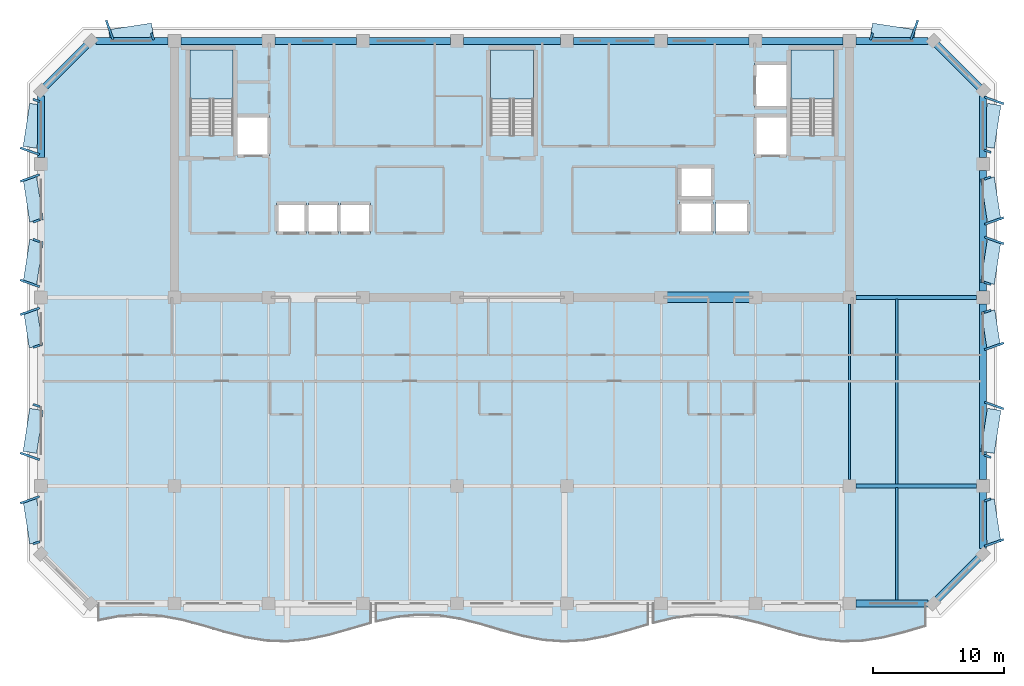
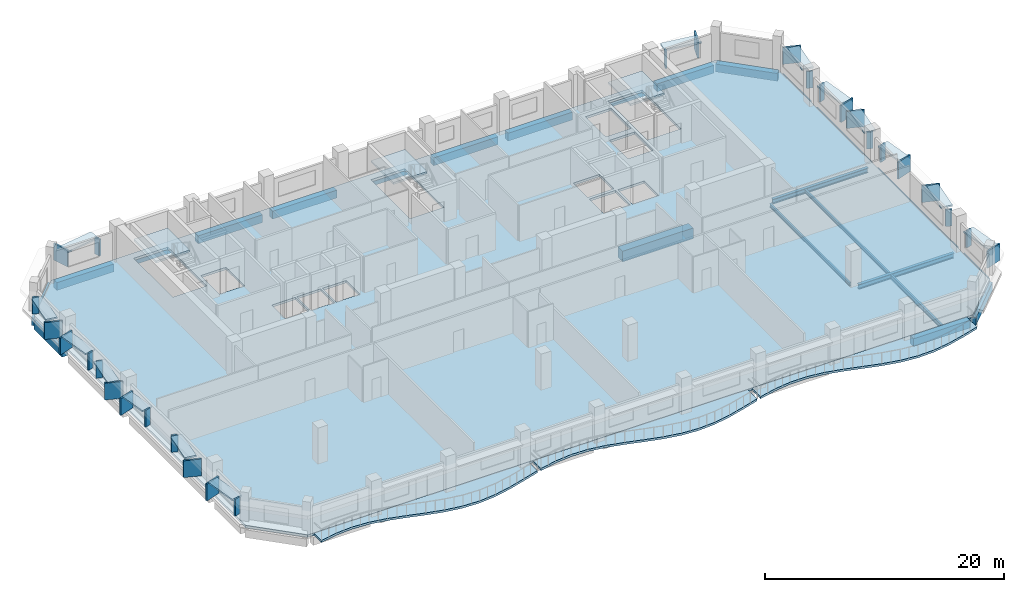
# One storey, part 2 of 11: 42 plates, 24 beams, 7 slabs, 3 elements without a shape of their own.
"""IFC4 building model written with IfcOpenShell, lengths in metres."""

from ifc_helpers import new_model, si_unit, direction, frame, origin, origin_2d, place, context, subcontext, project, spatial, polyline, rectangle, i_section, outline, extrude, material, layer, layer_set, material_profile, profile_set, type_object, element, aggregate, save


model = new_model("IFC4")

# Units and contexts
model_context = context("Model", 3, precision=1e-05, world=origin(), true_north=direction((0.0, 1.0)))
body_context = subcontext(model_context, "Body", "Model", "MODEL_VIEW")
ifc_project = project(units=[si_unit("LENGTHUNIT", "METRE"), si_unit("AREAUNIT", "SQUARE_METRE"), si_unit("VOLUMEUNIT", "CUBIC_METRE"), si_unit("PLANEANGLEUNIT", "RADIAN"), si_unit("MASSUNIT", "GRAM", prefix="KILO")], contexts=[model_context])

# Site, building, storey
site_placement = place(None, origin())
site = spatial("IfcSite", under=ifc_project, at=site_placement, CompositionType="ELEMENT")
building_placement = place(site_placement, origin())
building = spatial("IfcBuilding", under=site, at=building_placement, Name="Kaelvorn Grand Hotel", CompositionType="ELEMENT")
storey_placement = place(building_placement, frame((0.0, 0.0, 272.60009765625)))
storey = spatial("IfcBuildingStorey", under=building, at=storey_placement, Name="L67", CompositionType="ELEMENT", Elevation=272.60009765625)

# Beams
ifc_material_1 = material(Name="Steel S355", Category="steel")
ifc_material_profile_1 = material_profile(ifc_material_1, i_section(OverallWidth=0.300048828125, OverallDepth=0.5, WebThickness=0.014404296875, FlangeThickness=0.028076171875, FilletRadius=0.027099609375, at=origin_2d()), Name="HEB 500")
ifc_profile_set_1 = profile_set([ifc_material_profile_1], Name="Steel S355")
beam_type_1 = type_object("IfcBeamType", Name="BM-G-HEB500-S355", PredefinedType="BEAM", material=ifc_profile_set_1)
for number, where, z_axis, x_axis, name in (
    (1, (68.284912109375, 15.0, -0.489990234375), (1.0, 0.0, 0.0), (0.0, 1.0, 0.0), "L67 Primary Spine Steel Girder G-15 05"),
    (2, (68.284912109375, 29.39990234375, -0.489990234375), (1.0, 0.0, 0.0), (0.0, 1.0, 0.0), "L67 East Core Wing Steel Girder G-29E 01"),
):
    element("IfcBeam", number, at=place(storey_placement, frame(where, z_axis=z_axis, x_axis=x_axis)), inside=storey, type_object=beam_type_1, Name=name, PredefinedType="BEAM", context=body_context, shape_type="SweptSolid", body=[
        extrude(i_section(OverallWidth=0.300048828125, OverallDepth=0.5, WebThickness=0.014404296875, FlangeThickness=0.028076171875, FilletRadius=0.027099609375, at=origin_2d()), origin(), (0.0, 0.0, 1.0), 9.22998046875),
    ])
ifc_material_profile_2 = material_profile(ifc_material_1, i_section(OverallWidth=0.169921875, OverallDepth=0.360107421875, WebThickness=0.008056640625, FlangeThickness=0.0126953125, FilletRadius=0.01806640625, at=origin_2d()), Name="IPE 360")
ifc_profile_set_2 = profile_set([ifc_material_profile_2], Name="Steel S355")
beam_type_2 = type_object("IfcBeamType", Name="BM-J-IPE360-S355", PredefinedType="JOIST", material=ifc_profile_set_2)
beam_1_placement = place(storey_placement, frame((67.800048828125, 15.485107421875, -0.420166015625), z_axis=(0.0, 1.0, 0.0), x_axis=(-1.0, 0.0, 0.0)))
element("IfcBeam", 3, at=beam_1_placement, inside=storey, type_object=beam_type_2, Name="L67 Composite Floor Joist JM-19", PredefinedType="JOIST", context=body_context, shape_type="SweptSolid", body=[
    extrude(i_section(OverallWidth=0.169921875, OverallDepth=0.360107421875, WebThickness=0.008056640625, FlangeThickness=0.0126953125, FilletRadius=0.01806640625, at=origin_2d()), origin(), (0.0, 0.0, 1.0), 13.429931640625),
])
beam_2_placement = place(storey_placement, frame((71.39990234375, 15.135009765625, -0.420166015625), z_axis=(0.0, 1.0, 0.0), x_axis=(-1.0, 0.0, 0.0)))
element("IfcBeam", 4, at=beam_2_placement, inside=storey, type_object=beam_type_2, Name="L67 Composite Floor Joist JM-20", PredefinedType="JOIST", context=body_context, shape_type="SweptSolid", body=[
    extrude(i_section(OverallWidth=0.169921875, OverallDepth=0.360107421875, WebThickness=0.008056640625, FlangeThickness=0.0126953125, FilletRadius=0.01806640625, at=origin_2d()), origin(), (0.0, 0.0, 1.0), 14.1298828125),
])
ifc_material_profile_3 = material_profile(ifc_material_1, i_section(OverallWidth=0.18994140625, OverallDepth=0.449951171875, WebThickness=0.009521484375, FlangeThickness=0.0146484375, FilletRadius=0.02099609375, at=origin_2d()), Name="IPE 450")
ifc_profile_set_3 = profile_set([ifc_material_profile_3], Name="Steel S355")
beam_type_3 = type_object("IfcBeamType", Name="BM-J-IPE450-S355", PredefinedType="JOIST", material=ifc_profile_set_3)
beam_3_placement = place(storey_placement, frame((71.39990234375, 6.260009765625, -0.465087890625), z_axis=(0.0, 1.0, 0.0), x_axis=(-1.0, 0.0, 0.0)))
element("IfcBeam", 5, at=beam_3_placement, inside=storey, type_object=beam_type_3, Name="L67 Composite Floor Joist JS-20", PredefinedType="JOIST", context=body_context, shape_type="SweptSolid", body=[
    extrude(i_section(OverallWidth=0.18994140625, OverallDepth=0.449951171875, WebThickness=0.009521484375, FlangeThickness=0.0146484375, FilletRadius=0.02099609375, at=origin_2d()), origin(), (0.0, 0.0, 1.0), 8.60498046875),
])
ifc_material_2 = material(Name="Concrete C60/75", Category="concrete")
ifc_material_profile_4 = material_profile(ifc_material_2, rectangle(XDim=0.800048828125, YDim=1.10009765625, at=origin_2d()), Name="RC LINTEL 800x1100")
ifc_profile_set_4 = profile_set([ifc_material_profile_4], Name="Concrete C60/75")
beam_type_4 = type_object("IfcBeamType", Name="BM-LIN-800x1100-C60", PredefinedType="LINTEL", material=ifc_profile_set_4)
beam_4_placement = place(storey_placement, frame((53.580078125, 29.39990234375, -0.7900390625), z_axis=(1.0, 0.0, 0.0), x_axis=(0.0, 1.0, 0.0)))
element("IfcBeam", 6, at=beam_4_placement, inside=storey, type_object=beam_type_4, Name="L67 Rear-Core Coupling Lintel Beam CB1-03", PredefinedType="LINTEL", context=body_context, shape_type="SweptSolid", body=[
    extrude(rectangle(XDim=0.800048828125, YDim=1.10009765625, at=origin_2d()), origin(), (0.0, 0.0, 1.0), 6.83984375),
])
ifc_material_3 = material(Name="Concrete C50/60", Category="concrete")
ifc_material_profile_5 = material_profile(ifc_material_3, rectangle(XDim=0.550048828125, YDim=0.800048828125, at=origin_2d()), Name="RC SPANDREL 550x800")
ifc_profile_set_5 = profile_set([ifc_material_profile_5], Name="Concrete C50/60")
beam_type_5 = type_object("IfcBeamType", Name="BM-SP-550x800-C50", PredefinedType="SPANDREL", material=ifc_profile_set_5)
for number, where, z_axis, x_axis, name in (
    (7, (68.284912109375, 6.0, -0.64013671875), (1.0, 0.0, 0.0), (0.0, 1.0, 0.0), "L67 South Perimeter Spandrel 09"),
    (8, (10.205078125, 49.0, -0.64013671875), (1.0, 0.0, 0.0), (0.0, 1.0, 0.0), "L67 North Perimeter Spandrel 01"),
):
    element("IfcBeam", number, at=place(storey_placement, frame(where, z_axis=z_axis, x_axis=x_axis)), inside=storey, type_object=beam_type_5, Name=name, PredefinedType="SPANDREL", context=body_context, shape_type="SweptSolid", body=[
        extrude(rectangle(XDim=0.550048828125, YDim=0.800048828125, at=origin_2d()), origin(), (0.0, 0.0, 1.0), 5.510009765625),
    ])
for number, where, z_axis, x_axis, name in (
    (9, (16.68505859375, 49.0, -0.64013671875), (1.0, 0.0, 0.0), (0.0, 1.0, 0.0), "L67 North Perimeter Spandrel 02"),
    (10, (23.885009765625, 49.0, -0.64013671875), (1.0, 0.0, 0.0), (0.0, 1.0, 0.0), "L67 North Perimeter Spandrel 03"),
    (11, (31.0849609375, 49.0, -0.64013671875), (1.0, 0.0, 0.0), (0.0, 1.0, 0.0), "L67 North Perimeter Spandrel 04"),
):
    element("IfcBeam", number, at=place(storey_placement, frame(where, z_axis=z_axis, x_axis=x_axis)), inside=storey, type_object=beam_type_5, Name=name, PredefinedType="SPANDREL", context=body_context, shape_type="SweptSolid", body=[
        extrude(rectangle(XDim=0.550048828125, YDim=0.800048828125, at=origin_2d()), origin(), (0.0, 0.0, 1.0), 6.22998046875),
    ])
beam_5_placement = place(storey_placement, frame((38.284912109375, 49.0, -0.64013671875), z_axis=(1.0, 0.0, 0.0), x_axis=(0.0, 1.0, 0.0)))
element("IfcBeam", 12, at=beam_5_placement, inside=storey, type_object=beam_type_5, Name="L67 North Perimeter Spandrel 05", PredefinedType="SPANDREL", context=body_context, shape_type="SweptSolid", body=[
    extrude(rectangle(XDim=0.550048828125, YDim=0.800048828125, at=origin_2d()), origin(), (0.0, 0.0, 1.0), 7.43017578125),
])
for number, where, z_axis, x_axis, name in (
    (13, (46.68505859375, 49.0, -0.64013671875), (1.0, 0.0, 0.0), (0.0, 1.0, 0.0), "L67 North Perimeter Spandrel 06"),
    (14, (53.885009765625, 49.0, -0.64013671875), (1.0, 0.0, 0.0), (0.0, 1.0, 0.0), "L67 North Perimeter Spandrel 07"),
    (15, (61.0849609375, 49.0, -0.64013671875), (1.0, 0.0, 0.0), (0.0, 1.0, 0.0), "L67 North Perimeter Spandrel 08"),
):
    element("IfcBeam", number, at=place(storey_placement, frame(where, z_axis=z_axis, x_axis=x_axis)), inside=storey, type_object=beam_type_5, Name=name, PredefinedType="SPANDREL", context=body_context, shape_type="SweptSolid", body=[
        extrude(rectangle(XDim=0.550048828125, YDim=0.800048828125, at=origin_2d()), origin(), (0.0, 0.0, 1.0), 6.22998046875),
    ])
beam_6_placement = place(storey_placement, frame((68.284912109375, 49.0, -0.64013671875), z_axis=(1.0, 0.0, 0.0), x_axis=(0.0, 1.0, 0.0)))
element("IfcBeam", 16, at=beam_6_placement, inside=storey, type_object=beam_type_5, Name="L67 North Perimeter Spandrel 09", PredefinedType="SPANDREL", context=body_context, shape_type="SweptSolid", body=[
    extrude(rectangle(XDim=0.550048828125, YDim=0.800048828125, at=origin_2d()), origin(), (0.0, 0.0, 1.0), 5.510009765625),
])
beam_7_placement = place(storey_placement, frame((6.0, 40.0849609375, -0.64013671875), z_axis=(0.0, 1.0, 0.0), x_axis=(-1.0, 0.0, 0.0)))
element("IfcBeam", 17, at=beam_7_placement, inside=storey, type_object=beam_type_5, Name="L67 West Perimeter Spandrel 04", PredefinedType="SPANDREL", context=body_context, shape_type="SweptSolid", body=[
    extrude(rectangle(XDim=0.550048828125, YDim=0.800048828125, at=origin_2d()), origin(), (0.0, 0.0, 1.0), 4.7099609375),
])
beam_8_placement = place(storey_placement, frame((78.0, 10.205078125, -0.64013671875), z_axis=(0.0, 1.0, 0.0), x_axis=(-1.0, 0.0, 0.0)))
element("IfcBeam", 18, at=beam_8_placement, inside=storey, type_object=beam_type_5, Name="L67 East Perimeter Spandrel 01", PredefinedType="SPANDREL", context=body_context, shape_type="SweptSolid", body=[
    extrude(rectangle(XDim=0.550048828125, YDim=0.800048828125, at=origin_2d()), origin(), (0.0, 0.0, 1.0), 4.309814453125),
])
beam_9_placement = place(storey_placement, frame((78.0, 15.485107421875, -0.64013671875), z_axis=(0.0, 1.0, 0.0), x_axis=(-1.0, 0.0, 0.0)))
element("IfcBeam", 19, at=beam_9_placement, inside=storey, type_object=beam_type_5, Name="L67 East Perimeter Spandrel 02", PredefinedType="SPANDREL", context=body_context, shape_type="SweptSolid", body=[
    extrude(rectangle(XDim=0.550048828125, YDim=0.800048828125, at=origin_2d()), origin(), (0.0, 0.0, 1.0), 13.429931640625),
])
beam_10_placement = place(storey_placement, frame((78.0, 29.885009765625, -0.64013671875), z_axis=(0.0, 1.0, 0.0), x_axis=(-1.0, 0.0, 0.0)))
element("IfcBeam", 20, at=beam_10_placement, inside=storey, type_object=beam_type_5, Name="L67 East Perimeter Spandrel 03", PredefinedType="SPANDREL", context=body_context, shape_type="SweptSolid", body=[
    extrude(rectangle(XDim=0.550048828125, YDim=0.800048828125, at=origin_2d()), origin(), (0.0, 0.0, 1.0), 9.22998046875),
])
beam_11_placement = place(storey_placement, frame((78.0, 40.0849609375, -0.64013671875), z_axis=(0.0, 1.0, 0.0), x_axis=(-1.0, 0.0, 0.0)))
element("IfcBeam", 21, at=beam_11_placement, inside=storey, type_object=beam_type_5, Name="L67 East Perimeter Spandrel 04", PredefinedType="SPANDREL", context=body_context, shape_type="SweptSolid", body=[
    extrude(rectangle(XDim=0.550048828125, YDim=0.800048828125, at=origin_2d()), origin(), (0.0, 0.0, 1.0), 4.7099609375),
])
for number, where, z_axis, x_axis, name in (
    (22, (74.199951171875, 6.0, -0.64013671875), (0.707106781187, 0.707106781187, 0.0), (-0.707106781187, 0.707106781187, 0.0), "L67 Chamfer Spandrel Beam 1"),
    (23, (78.0, 45.199951171875, -0.64013671875), (-0.707106781187, 0.707106781187, 0.0), (-0.707106781187, -0.707106781187, 0.0), "L67 Chamfer Spandrel Beam 2"),
    (24, (9.800048828125, 49.0, -0.64013671875), (-0.707106781187, -0.707106781187, 0.0), (0.707106781187, -0.707106781187, 0.0), "L67 Chamfer Spandrel Beam 3"),
):
    element("IfcBeam", number, at=place(storey_placement, frame(where, z_axis=z_axis, x_axis=x_axis)), inside=storey, type_object=beam_type_5, Name=name, PredefinedType="SPANDREL", context=body_context, shape_type="SweptSolid", body=[
        extrude(rectangle(XDim=0.550048828125, YDim=0.800048828125, at=origin_2d()), origin(), (0.0, 0.0, 1.0), 5.3740234375),
    ])

# Plates
ifc_material_4 = material(Name="Precast concrete C45/55", Category="concrete")
ifc_layer_1 = layer(ifc_material_4, 0.159912109375)
ifc_layer_set_1 = layer_set([ifc_layer_1], Name="Precast concrete C45/55")
plate_type_1 = type_object("IfcPlateType", Name="PL-FRAME-DEEP-1550", PredefinedType="USERDEFINED", material=ifc_layer_set_1)
for number, where, z_axis, x_axis, name in (
    (25, (78.844970703125, 10.64501953125, 0.73974609375), (0.0, 0.0, 1.0), (-0.333806859234, 0.942641491092, 0.0), "L67 Tilted Precast Window Frame Fin L-E01"),
    (26, (78.844970703125, 21.139892578125, 0.81494140625), (0.0, 0.0, 1.0), (0.333806859234, 0.942641491092, 0.0), "L67 Tilted Precast Window Frame Fin R-E02"),
    (27, (78.844970703125, 25.659912109375, 0.73974609375), (0.0, 0.0, 1.0), (-0.333806859234, 0.942641491092, 0.0), "L67 Tilted Precast Window Frame Fin L-E03"),
    (28, (78.844970703125, 33.7548828125, 0.73974609375), (0.0, 0.0, 1.0), (0.333806859234, 0.942641491092, 0.0), "L67 Tilted Precast Window Frame Fin R-E04"),
    (29, (78.844970703125, 35.2451171875, 0.73974609375), (0.0, 0.0, 1.0), (-0.333806859234, 0.942641491092, 0.0), "L67 Tilted Precast Window Frame Fin L-E05"),
    (30, (78.844970703125, 44.455078125, 0.81494140625), (0.0, 0.0, 1.0), (0.333806859234, 0.942641491092, 0.0), "L67 Tilted Precast Window Frame Fin R-E06"),
    (31, (5.155029296875, 13.925048828125, 0.73974609375), (0.0, 0.0, 1.0), (-0.333806859234, 0.942641491092, 0.0), "L67 Tilted Precast Window Frame Fin R-W01"),
    (32, (5.155029296875, 17.260009765625, 0.81494140625), (0.0, 0.0, 1.0), (0.333806859234, 0.942641491092, 0.0), "L67 Tilted Precast Window Frame Fin L-W02"),
    (33, (5.155029296875, 28.340087890625, 0.73974609375), (0.0, 0.0, 1.0), (-0.333806859234, 0.942641491092, 0.0), "L67 Tilted Precast Window Frame Fin R-W03"),
    (34, (5.155029296875, 30.47509765625, 0.73974609375), (0.0, 0.0, 1.0), (0.333806859234, 0.942641491092, 0.0), "L67 Tilted Precast Window Frame Fin L-W04"),
    (35, (5.155029296875, 38.52490234375, 0.73974609375), (0.0, 0.0, 1.0), (-0.333806859234, 0.942641491092, 0.0), "L67 Tilted Precast Window Frame Fin R-W05"),
    (36, (5.155029296875, 40.574951171875, 0.81494140625), (0.0, 0.0, 1.0), (0.333806859234, 0.942641491092, 0.0), "L67 Tilted Precast Window Frame Fin L-W06"),
    (37, (11.2451171875, 49.844970703125, 0.73974609375), (0.0, 0.0, 1.0), (0.942641491092, 0.333806859234, 0.0), "L67 Tilted Precast Window Frame Fin L-N01"),
    (38, (72.7548828125, 49.844970703125, 0.73974609375), (0.0, 0.0, 1.0), (0.942641491092, -0.333806859234, 0.0), "L67 Tilted Precast Window Frame Fin R-N02"),
):
    element("IfcPlate", number, at=place(storey_placement, frame(where, z_axis=z_axis, x_axis=x_axis)), inside=storey, type_object=plate_type_1, Name=name, ObjectType="FLANGE_PLATE", PredefinedType="USERDEFINED", context=body_context, shape_type="SweptSolid", body=[
        extrude(rectangle(XDim=0.159912109375, YDim=1.550048828125, at=origin_2d()), origin(), (0.0, 0.0, 1.0), 1.719970703125),
    ])
ifc_layer_2 = layer(ifc_material_4, 0.159912109375)
ifc_layer_set_2 = layer_set([ifc_layer_2], Name="Precast concrete C45/55")
plate_type_2 = type_object("IfcPlateType", Name="PL-FRAME-HEAD-1050", PredefinedType="USERDEFINED", material=ifc_layer_set_2)
for number, where, z_axis, x_axis, name in (
    (39, (78.594970703125, 12.284912109375, 2.35009765625), (0.0, 0.0, 1.0), (-0.152554625759, 0.988295040036, 0.0), "L67 Precast Window Frame Head Hood H-E01"),
    (40, (78.594970703125, 19.199951171875, 2.5), (0.0, 0.0, 1.0), (0.152554625759, 0.988295040036, 0.0), "L67 Precast Window Frame Head Hood H-E02"),
):
    element("IfcPlate", number, at=place(storey_placement, frame(where, z_axis=z_axis, x_axis=x_axis)), inside=storey, type_object=plate_type_2, Name=name, ObjectType="FLANGE_PLATE", PredefinedType="USERDEFINED", context=body_context, shape_type="SweptSolid", body=[
        extrude(rectangle(XDim=3.320068359375, YDim=1.050048828125, at=origin_2d()), origin(), (0.0, 0.0, 1.0), 0.159912109375),
    ])
plate_1_placement = place(storey_placement, frame((78.594970703125, 27.0, 2.35009765625), z_axis=(0.0, 0.0, 1.0), x_axis=(-0.152554625759, 0.988295040036, 0.0)))
element("IfcPlate", 41, at=plate_1_placement, inside=storey, type_object=plate_type_2, Name="L67 Precast Window Frame Head Hood H-E03", ObjectType="FLANGE_PLATE", PredefinedType="USERDEFINED", context=body_context, shape_type="SweptSolid", body=[
    extrude(rectangle(XDim=2.760009765625, YDim=1.050048828125, at=origin_2d()), origin(), (0.0, 0.0, 1.0), 0.159912109375),
])
for number, where, z_axis, x_axis, name in (
    (42, (78.594970703125, 32.114990234375, 2.35009765625), (0.0, 0.0, 1.0), (0.152554625759, 0.988295040036, 0.0), "L67 Precast Window Frame Head Hood H-E04"),
    (43, (78.594970703125, 36.885009765625, 2.35009765625), (0.0, 0.0, 1.0), (-0.152554625759, 0.988295040036, 0.0), "L67 Precast Window Frame Head Hood H-E05"),
    (44, (78.594970703125, 42.514892578125, 2.5), (0.0, 0.0, 1.0), (0.152554625759, 0.988295040036, 0.0), "L67 Precast Window Frame Head Hood H-E06"),
    (45, (5.405029296875, 12.284912109375, 2.35009765625), (0.0, 0.0, 1.0), (-0.152554625759, 0.988295040036, 0.0), "L67 Precast Window Frame Head Hood H-W01"),
    (46, (5.405029296875, 19.199951171875, 2.5), (0.0, 0.0, 1.0), (0.152554625759, 0.988295040036, 0.0), "L67 Precast Window Frame Head Hood H-W02"),
):
    element("IfcPlate", number, at=place(storey_placement, frame(where, z_axis=z_axis, x_axis=x_axis)), inside=storey, type_object=plate_type_2, Name=name, ObjectType="FLANGE_PLATE", PredefinedType="USERDEFINED", context=body_context, shape_type="SweptSolid", body=[
        extrude(rectangle(XDim=3.320068359375, YDim=1.050048828125, at=origin_2d()), origin(), (0.0, 0.0, 1.0), 0.159912109375),
    ])
plate_2_placement = place(storey_placement, frame((5.405029296875, 27.0, 2.35009765625), z_axis=(0.0, 0.0, 1.0), x_axis=(-0.152554625759, 0.988295040036, 0.0)))
element("IfcPlate", 47, at=plate_2_placement, inside=storey, type_object=plate_type_2, Name="L67 Precast Window Frame Head Hood H-W03", ObjectType="FLANGE_PLATE", PredefinedType="USERDEFINED", context=body_context, shape_type="SweptSolid", body=[
    extrude(rectangle(XDim=2.760009765625, YDim=1.050048828125, at=origin_2d()), origin(), (0.0, 0.0, 1.0), 0.159912109375),
])
for number, where, z_axis, x_axis, name in (
    (48, (5.405029296875, 32.114990234375, 2.35009765625), (0.0, 0.0, 1.0), (0.152554625759, 0.988295040036, 0.0), "L67 Precast Window Frame Head Hood H-W04"),
    (49, (5.405029296875, 36.885009765625, 2.35009765625), (0.0, 0.0, 1.0), (-0.152554625759, 0.988295040036, 0.0), "L67 Precast Window Frame Head Hood H-W05"),
    (50, (5.405029296875, 42.514892578125, 2.5), (0.0, 0.0, 1.0), (0.152554625759, 0.988295040036, 0.0), "L67 Precast Window Frame Head Hood H-W06"),
    (51, (12.885009765625, 49.594970703125, 2.35009765625), (0.0, 0.0, 1.0), (0.988295040036, 0.152554625759, 0.0), "L67 Precast Window Frame Head Hood H-N01"),
    (52, (71.114990234375, 49.594970703125, 2.35009765625), (0.0, 0.0, 1.0), (0.988295040036, -0.152554625759, 0.0), "L67 Precast Window Frame Head Hood H-N02"),
):
    element("IfcPlate", number, at=place(storey_placement, frame(where, z_axis=z_axis, x_axis=x_axis)), inside=storey, type_object=plate_type_2, Name=name, ObjectType="FLANGE_PLATE", PredefinedType="USERDEFINED", context=body_context, shape_type="SweptSolid", body=[
        extrude(rectangle(XDim=3.320068359375, YDim=1.050048828125, at=origin_2d()), origin(), (0.0, 0.0, 1.0), 0.159912109375),
    ])
ifc_layer_3 = layer(ifc_material_4, 0.159912109375)
ifc_layer_set_3 = layer_set([ifc_layer_3], Name="Precast concrete C45/55")
plate_type_3 = type_object("IfcPlateType", Name="PL-FRAME-SHAL-550", PredefinedType="USERDEFINED", material=ifc_layer_set_3)
for number, where, z_axis, x_axis, name in (
    (53, (78.344970703125, 13.925048828125, 0.73974609375), (0.0, 0.0, 1.0), (-0.333806859234, 0.942641491092, 0.0), "L67 Tilted Precast Window Frame Fin R-E01"),
    (54, (78.344970703125, 17.260009765625, 0.81494140625), (0.0, 0.0, 1.0), (0.333806859234, 0.942641491092, 0.0), "L67 Tilted Precast Window Frame Fin L-E02"),
    (55, (78.344970703125, 28.340087890625, 0.73974609375), (0.0, 0.0, 1.0), (-0.333806859234, 0.942641491092, 0.0), "L67 Tilted Precast Window Frame Fin R-E03"),
    (56, (78.344970703125, 30.47509765625, 0.73974609375), (0.0, 0.0, 1.0), (0.333806859234, 0.942641491092, 0.0), "L67 Tilted Precast Window Frame Fin L-E04"),
    (57, (78.344970703125, 38.52490234375, 0.73974609375), (0.0, 0.0, 1.0), (-0.333806859234, 0.942641491092, 0.0), "L67 Tilted Precast Window Frame Fin R-E05"),
    (58, (78.344970703125, 40.574951171875, 0.81494140625), (0.0, 0.0, 1.0), (0.333806859234, 0.942641491092, 0.0), "L67 Tilted Precast Window Frame Fin L-E06"),
    (59, (5.655029296875, 10.64501953125, 0.73974609375), (0.0, 0.0, 1.0), (-0.333806859234, 0.942641491092, 0.0), "L67 Tilted Precast Window Frame Fin L-W01"),
    (60, (5.655029296875, 21.139892578125, 0.81494140625), (0.0, 0.0, 1.0), (0.333806859234, 0.942641491092, 0.0), "L67 Tilted Precast Window Frame Fin R-W02"),
    (61, (5.655029296875, 25.659912109375, 0.73974609375), (0.0, 0.0, 1.0), (-0.333806859234, 0.942641491092, 0.0), "L67 Tilted Precast Window Frame Fin L-W03"),
    (62, (5.655029296875, 33.7548828125, 0.73974609375), (0.0, 0.0, 1.0), (0.333806859234, 0.942641491092, 0.0), "L67 Tilted Precast Window Frame Fin R-W04"),
    (63, (5.655029296875, 35.2451171875, 0.73974609375), (0.0, 0.0, 1.0), (-0.333806859234, 0.942641491092, 0.0), "L67 Tilted Precast Window Frame Fin L-W05"),
    (64, (5.655029296875, 44.455078125, 0.81494140625), (0.0, 0.0, 1.0), (0.333806859234, 0.942641491092, 0.0), "L67 Tilted Precast Window Frame Fin R-W06"),
    (65, (14.52490234375, 49.344970703125, 0.73974609375), (0.0, 0.0, 1.0), (0.942641491092, 0.333806859234, 0.0), "L67 Tilted Precast Window Frame Fin R-N01"),
    (66, (69.47509765625, 49.344970703125, 0.73974609375), (0.0, 0.0, 1.0), (0.942641491092, -0.333806859234, 0.0), "L67 Tilted Precast Window Frame Fin L-N02"),
):
    element("IfcPlate", number, at=place(storey_placement, frame(where, z_axis=z_axis, x_axis=x_axis)), inside=storey, type_object=plate_type_3, Name=name, ObjectType="FLANGE_PLATE", PredefinedType="USERDEFINED", context=body_context, shape_type="SweptSolid", body=[
        extrude(rectangle(XDim=0.159912109375, YDim=0.550048828125, at=origin_2d()), origin(), (0.0, 0.0, 1.0), 1.719970703125),
    ])

# Slabs
ifc_material_5 = material(Name="Concrete C40/50", Category="concrete")
ifc_layer_4 = layer(ifc_material_5, 0.219970703125)
ifc_layer_set_4 = layer_set([ifc_layer_4], Name="Concrete C40/50")
slab_type_1 = type_object("IfcSlabType", Name="SLB-BALC-220-C40", PredefinedType="FLOOR", material=ifc_layer_set_4)
slab_1_placement = place(storey_placement, frame((0.0, 0.0, -0.22021484375)))
element("IfcSlab", 67, at=slab_1_placement, inside=storey, type_object=slab_type_1, Name="L67 Scalloped Wave Balcony Slab 1", PredefinedType="FLOOR", context=body_context, shape_type="SweptSolid", body=[
    extrude(outline(polyline([(10.39990234375, 4.7275390625), (12.0, 5.03564453125), (13.60009765625, 5.14990234375), (15.199951171875, 5.046142578125), (16.800048828125, 4.74658203125), (18.39990234375, 4.314697265625), (20.0, 3.842529296875), (21.60009765625, 3.430419921875), (23.199951171875, 3.166015625), (24.800048828125, 3.105712890625), (26.39990234375, 3.26220703125), (28.0, 3.602294921875), (29.60009765625, 4.053466796875), (31.199951171875, 4.52001953125), (31.199951171875, 6.0), (10.39990234375, 6.0), (10.39990234375, 4.7275390625)])), origin(), (0.0, 0.0, 1.0), 0.22021484375),
])
slab_2_placement = place(storey_placement, frame((0.0, 0.0, -0.22021484375)))
element("IfcSlab", 68, at=slab_2_placement, inside=storey, type_object=slab_type_1, Name="L67 Scalloped Wave Balcony Slab 2", PredefinedType="FLOOR", context=body_context, shape_type="SweptSolid", body=[
    extrude(outline(polyline([(31.60009765625, 4.627197265625), (33.199951171875, 4.974853515625), (34.800048828125, 5.1416015625), (36.39990234375, 5.09228515625), (38.0, 4.8369140625), (39.60009765625, 4.430419921875), (41.199951171875, 3.958740234375), (42.800048828125, 3.5224609375), (44.39990234375, 3.21435546875), (46.0, 3.10009765625), (47.60009765625, 3.203857421875), (49.199951171875, 3.50341796875), (50.800048828125, 3.935302734375), (52.39990234375, 4.407470703125), (52.39990234375, 6.0), (31.60009765625, 6.0), (31.60009765625, 4.627197265625)])), origin(), (0.0, 0.0, 1.0), 0.22021484375),
])
slab_3_placement = place(storey_placement, frame((0.0, 0.0, -0.22021484375)))
element("IfcSlab", 69, at=slab_3_placement, inside=storey, type_object=slab_type_1, Name="L67 Scalloped Wave Balcony Slab 3", PredefinedType="FLOOR", context=body_context, shape_type="SweptSolid", body=[
    extrude(outline(polyline([(52.800048828125, 4.52001953125), (54.39990234375, 4.902587890625), (56.0, 5.11962890625), (57.60009765625, 5.125), (59.199951171875, 4.917724609375), (60.800048828125, 4.5419921875), (62.39990234375, 4.077392578125), (64.0, 3.622802734375), (65.60009765625, 3.275146484375), (67.199951171875, 3.1083984375), (68.800048828125, 3.15771484375), (70.39990234375, 3.4130859375), (72.0, 3.819580078125), (73.60009765625, 4.291259765625), (73.60009765625, 6.0), (52.800048828125, 6.0), (52.800048828125, 4.52001953125)])), origin(), (0.0, 0.0, 1.0), 0.22021484375),
])
ifc_layer_5 = layer(ifc_material_5, 0.239990234375)
ifc_layer_set_5 = layer_set([ifc_layer_5], Name="Concrete C40/50")
slab_type_2 = type_object("IfcSlabType", Name="SLB-FLR-240-C40", PredefinedType="FLOOR", material=ifc_layer_set_5)
slab_4_placement = place(storey_placement, frame((0.0, 0.0, -0.239990234375)))
element("IfcSlab", 70, at=slab_4_placement, inside=storey, type_object=slab_type_2, Name="L67 Indoor Suspended Floor Slab", PredefinedType="FLOOR", context=body_context, shape_type="SweptSolid", body=[
    extrude(outline(polyline([(9.800048828125, 6.0), (74.199951171875, 6.0), (78.0, 9.800048828125), (78.0, 45.199951171875), (74.199951171875, 49.0), (9.800048828125, 49.0), (6.0, 45.199951171875), (6.0, 9.800048828125), (9.800048828125, 6.0)]), holes=[polyline([(17.39990234375, 41.760009765625), (17.39990234375, 48.300048828125), (20.679931640625, 48.300048828125), (20.679931640625, 41.760009765625), (17.39990234375, 41.760009765625)]), polyline([(40.360107421875, 41.760009765625), (40.360107421875, 48.300048828125), (43.639892578125, 48.300048828125), (43.639892578125, 41.760009765625), (40.360107421875, 41.760009765625)]), polyline([(63.320068359375, 41.760009765625), (63.320068359375, 48.300048828125), (66.60009765625, 48.300048828125), (66.60009765625, 41.760009765625), (63.320068359375, 41.760009765625)]), polyline([(24.0, 34.300048828125), (24.0, 36.60009765625), (26.300048828125, 36.60009765625), (26.300048828125, 34.300048828125), (24.0, 34.300048828125)]), polyline([(26.449951171875, 34.300048828125), (26.449951171875, 36.60009765625), (28.75, 36.60009765625), (28.75, 34.300048828125), (26.449951171875, 34.300048828125)]), polyline([(28.89990234375, 34.300048828125), (28.89990234375, 36.60009765625), (31.199951171875, 36.60009765625), (31.199951171875, 34.300048828125), (28.89990234375, 34.300048828125)]), polyline([(54.800048828125, 34.300048828125), (54.800048828125, 36.699951171875), (57.35009765625, 36.699951171875), (57.35009765625, 34.300048828125), (54.800048828125, 34.300048828125)]), polyline([(57.550048828125, 34.300048828125), (57.550048828125, 36.699951171875), (60.10009765625, 36.699951171875), (60.10009765625, 34.300048828125), (57.550048828125, 34.300048828125)]), polyline([(54.800048828125, 37.0), (54.800048828125, 39.39990234375), (57.35009765625, 39.39990234375), (57.35009765625, 37.0), (54.800048828125, 37.0)]), polyline([(21.0, 40.199951171875), (21.0, 43.300048828125), (23.449951171875, 43.300048828125), (23.449951171875, 40.199951171875), (21.0, 40.199951171875)]), polyline([(60.550048828125, 40.199951171875), (60.550048828125, 43.300048828125), (63.0, 43.300048828125), (63.0, 40.199951171875), (60.550048828125, 40.199951171875)]), polyline([(60.550048828125, 43.89990234375), (60.550048828125, 47.300048828125), (63.0, 47.300048828125), (63.0, 43.89990234375), (60.550048828125, 43.89990234375)])]), origin(), (0.0, 0.0, 1.0), 0.239990234375),
])

# Stair, slab
stair_type = type_object("IfcStairType", Name="STR-DOG-1560-R09", PredefinedType="HALF_TURN_STAIR", material=ifc_material_5)
stair_1_placement = place(storey_placement, origin())
stair_1 = element("IfcStair", 71, at=stair_1_placement, inside=storey, type_object=stair_type, Name="L67 West Core Exit Stair ST1", PredefinedType="HALF_TURN_STAIR")
ifc_layer_6 = layer(ifc_material_5, 0.199951171875)
ifc_layer_set_6 = layer_set([ifc_layer_6], Name="Concrete C40/50")
slab_type_3 = type_object("IfcSlabType", Name="SLB-LAND-200-C40", PredefinedType="LANDING", material=ifc_layer_set_6)
slab_5_placement = place(storey_placement, frame((0.0, 0.0, 1.77490234375)))
slab_5 = element("IfcSlab", 72, at=slab_5_placement, type_object=slab_type_3, Name="ST1 landing 1", PredefinedType="LANDING", context=body_context, shape_type="SweptSolid", body=[
    extrude(outline(polyline([(20.679931640625, 44.56005859375), (20.679931640625, 48.300048828125), (17.39990234375, 48.300048828125), (17.39990234375, 44.56005859375), (20.679931640625, 44.56005859375)])), origin(), (0.0, 0.0, 1.0), 0.199951171875),
])
aggregate(stair_1, [slab_5])

stair_2_placement = place(storey_placement, origin())
stair_2 = element("IfcStair", 73, at=stair_2_placement, inside=storey, type_object=stair_type, Name="L67 Central Core Exit Stair ST2", PredefinedType="HALF_TURN_STAIR")
slab_6_placement = place(storey_placement, frame((0.0, 0.0, 1.77490234375)))
slab_6 = element("IfcSlab", 74, at=slab_6_placement, type_object=slab_type_3, Name="ST2 landing 1", PredefinedType="LANDING", context=body_context, shape_type="SweptSolid", body=[
    extrude(outline(polyline([(43.639892578125, 44.56005859375), (43.639892578125, 48.300048828125), (40.360107421875, 48.300048828125), (40.360107421875, 44.56005859375), (43.639892578125, 44.56005859375)])), origin(), (0.0, 0.0, 1.0), 0.199951171875),
])
aggregate(stair_2, [slab_6])

stair_3_placement = place(storey_placement, origin())
stair_3 = element("IfcStair", 75, at=stair_3_placement, inside=storey, type_object=stair_type, Name="L67 East Core Exit Stair ST3", PredefinedType="HALF_TURN_STAIR")
slab_7_placement = place(storey_placement, frame((0.0, 0.0, 1.77490234375)))
slab_7 = element("IfcSlab", 76, at=slab_7_placement, type_object=slab_type_3, Name="ST3 landing 1", PredefinedType="LANDING", context=body_context, shape_type="SweptSolid", body=[
    extrude(outline(polyline([(66.60009765625, 44.56005859375), (66.60009765625, 48.300048828125), (63.320068359375, 48.300048828125), (63.320068359375, 44.56005859375), (66.60009765625, 44.56005859375)])), origin(), (0.0, 0.0, 1.0), 0.199951171875),
])
aggregate(stair_3, [slab_7])

save(model, "model.ifc")
